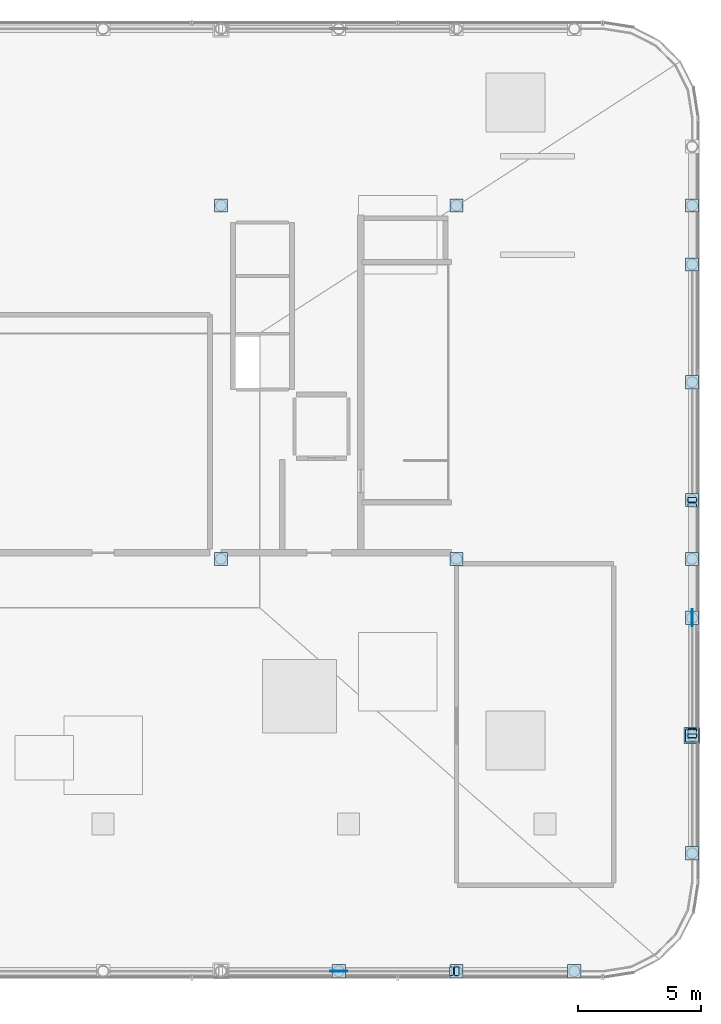
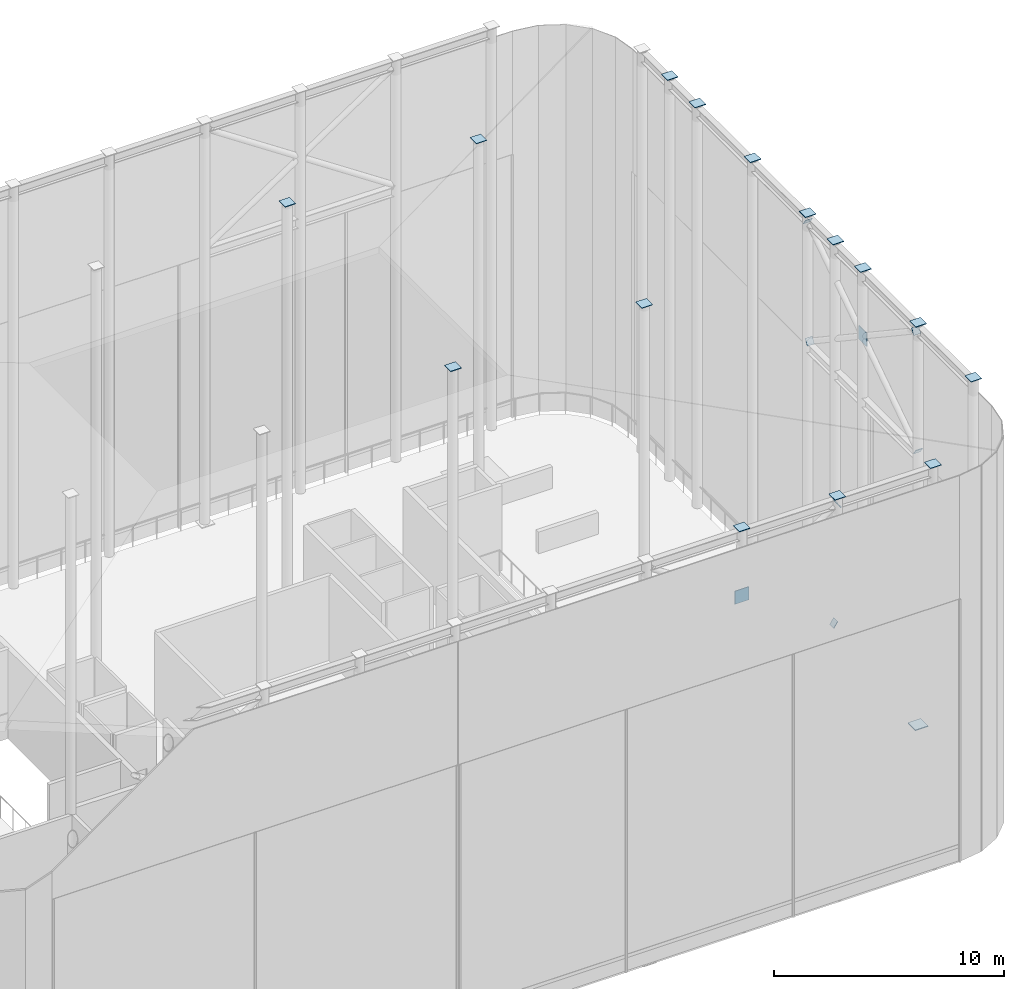
# One storey, part 38 of 42: 24 plates.
"""IFC4 building model written with IfcOpenShell, lengths in metres."""

from ifc_helpers import new_model, si_unit, direction, frame, origin, origin_2d, place, context, subcontext, project, spatial, polyline, rectangle, outline, extrude, material, layer, layer_set, type_object, element, save


model = new_model("IFC4")

# Units and contexts
model_context = context("Model", 3, precision=1e-05, world=origin(), true_north=direction((0.0, 1.0)))
body_context = subcontext(model_context, "Body", "Model", "MODEL_VIEW")
ifc_project = project(units=[si_unit("LENGTHUNIT", "METRE"), si_unit("AREAUNIT", "SQUARE_METRE"), si_unit("VOLUMEUNIT", "CUBIC_METRE"), si_unit("PLANEANGLEUNIT", "RADIAN"), si_unit("MASSUNIT", "GRAM", prefix="KILO")], contexts=[model_context])

# Site, building, storey
site_placement = place(None, origin())
site = spatial("IfcSite", under=ifc_project, at=site_placement, CompositionType="ELEMENT")
building_placement = place(site_placement, origin())
building = spatial("IfcBuilding", under=site, at=building_placement, Name="Kallvorn Hotel Tower", CompositionType="ELEMENT")
storey_placement = place(building_placement, frame((0.0, 0.0, 306.0)))
storey = spatial("IfcBuildingStorey", under=building, at=storey_placement, Name="ROOF", CompositionType="ELEMENT", Elevation=306.0)

# Plates
ifc_material_1 = material(Name="Structural steel S355JR", Category="steel")
ifc_layer_1 = layer(ifc_material_1, 0.044921875)
ifc_layer_set_1 = layer_set([ifc_layer_1], Name="PLT_BASE_45")
plate_type_1 = type_object("IfcPlateType", Name="PLT_BASE_45", PredefinedType="SHEET", material=ifc_layer_set_1)
plate_placement = place(storey_placement, frame((24.0, -14.39990234375, 0.0), z_axis=(0.0, 0.0, 1.0), x_axis=(1.0, 0.0, 0.0)))
element("IfcPlate", 1, at=plate_placement, inside=storey, type_object=plate_type_1, Name="CROWN FRAME Column Baseplate CE1", PredefinedType="SHEET", context=body_context, shape_type="SweptSolid", body=[
    extrude(rectangle(XDim=0.64990234375, YDim=0.64990234375, at=origin_2d()), origin(), (0.0, 0.0, 1.0), 0.044921875),
])
ifc_material_2 = material(Name="Structural steel S355JR", Category="steel")
ifc_layer_2 = layer(ifc_material_2, 0.030029296875)
ifc_layer_set_2 = layer_set([ifc_layer_2], Name="PLT_CAP_30")
plate_type_2 = type_object("IfcPlateType", Name="PLT_CAP_30", PredefinedType="SHEET", material=ifc_layer_set_2)
for number, where, z_axis, x_axis, name in (
    (2, (4.800048828125, -7.199951171875, 21.35986328125), (0.0, 0.0, 1.0), (1.0, 0.0, 0.0), "CROWN FRAME Column Top Cap Plate 27"),
    (3, (4.800048828125, 7.199951171875, 21.35986328125), (0.0, 0.0, 1.0), (1.0, 0.0, 0.0), "CROWN FRAME Column Top Cap Plate 28"),
    (4, (9.60009765625, -24.0, 21.35986328125), (0.0, 0.0, 1.0), (1.0, 0.0, 0.0), "CROWN FRAME Column Top Cap Plate 30"),
    (5, (14.39990234375, -24.0, 21.35986328125), (0.0, 0.0, 1.0), (1.0, 0.0, 0.0), "CROWN FRAME Column Top Cap Plate 32"),
    (6, (14.39990234375, -7.199951171875, 21.35986328125), (0.0, 0.0, 1.0), (1.0, 0.0, 0.0), "CROWN FRAME Column Top Cap Plate 33"),
    (7, (14.39990234375, 7.199951171875, 21.35986328125), (0.0, 0.0, 1.0), (1.0, 0.0, 0.0), "CROWN FRAME Column Top Cap Plate 34"),
    (8, (19.199951171875, -24.0, 21.35986328125), (0.0, 0.0, 1.0), (1.0, 0.0, 0.0), "CROWN FRAME Column Top Cap Plate 36"),
    (9, (24.0, -19.199951171875, 21.35986328125), (0.0, 0.0, 1.0), (1.0, 0.0, 0.0), "CROWN FRAME Column Top Cap Plate 38"),
    (10, (24.0, -14.39990234375, 21.35986328125), (0.0, 0.0, 1.0), (1.0, 0.0, 0.0), "CROWN FRAME Column Top Cap Plate 39"),
    (11, (24.0, -9.60009765625, 21.35986328125), (0.0, 0.0, 1.0), (1.0, 0.0, 0.0), "CROWN FRAME Column Top Cap Plate 40"),
    (12, (24.0, -7.199951171875, 21.35986328125), (0.0, 0.0, 1.0), (1.0, 0.0, 0.0), "CROWN FRAME Column Top Cap Plate 41"),
    (13, (24.0, -4.800048828125, 21.35986328125), (0.0, 0.0, 1.0), (1.0, 0.0, 0.0), "CROWN FRAME Column Top Cap Plate 42"),
    (14, (24.0, 0.0, 21.35986328125), (0.0, 0.0, 1.0), (1.0, 0.0, 0.0), "CROWN FRAME Column Top Cap Plate 43"),
    (15, (24.0, 4.800048828125, 21.35986328125), (0.0, 0.0, 1.0), (1.0, 0.0, 0.0), "CROWN FRAME Column Top Cap Plate 44"),
    (16, (24.0, 7.199951171875, 21.35986328125), (0.0, 0.0, 1.0), (1.0, 0.0, 0.0), "CROWN FRAME Column Top Cap Plate 45"),
):
    element("IfcPlate", number, at=place(storey_placement, frame(where, z_axis=z_axis, x_axis=x_axis)), inside=storey, type_object=plate_type_2, Name=name, PredefinedType="SHEET", context=body_context, shape_type="SweptSolid", body=[
        extrude(rectangle(XDim=0.5400390625, YDim=0.5400390625, at=origin_2d()), origin(), (0.0, 0.0, 1.0), 0.030029296875),
    ])
for number, where, z_axis, x_axis, name in (
    (17, (14.50634765625, -24.176513671875, 20.80859375), (0.832050294338, 0.0, 0.554700196225), (0.0, 1.0, 0.0), "CROWN-BR-CS2 End Cap Plate B"),
    (18, (14.118896484375, -23.823486328125, 14.525146484375), (-0.832050294338, 0.0, 0.554700196225), (0.0, -1.0, 0.0), "CROWN-BR-CS2-H2 End Cap Plate B"),
    (19, (24.176513671875, -14.285400390625, 14.414306640625), (0.0, 0.832050294338, 0.554700196225), (-1.0, 0.0, 0.0), "CROWN-BR-CE1 End Cap Plate A"),
    (20, (24.176513671875, -4.693603515625, 20.80859375), (0.0, 0.832050294338, 0.554700196225), (-1.0, 0.0, 0.0), "CROWN-BR-CE1 End Cap Plate B"),
    (21, (23.823486328125, -14.33984375, 20.69775390625), (0.0, -0.832050294338, 0.554700196225), (1.0, 0.0, 0.0), "CROWN-BR-CE1-H1 End Cap Plate A"),
    (22, (23.823486328125, -5.0810546875, 14.525146484375), (0.0, -0.832050294338, 0.554700196225), (1.0, 0.0, 0.0), "CROWN-BR-CE1-H2 End Cap Plate B"),
):
    element("IfcPlate", number, at=place(storey_placement, frame(where, z_axis=z_axis, x_axis=x_axis)), inside=storey, type_object=plate_type_2, Name=name, PredefinedType="SHEET", context=body_context, shape_type="SweptSolid", body=[
        extrude(outline(polyline([(0.0, 0.0), (0.35302734375, 0.0), (0.35302734375, 0.3529848782863915), (0.0, 0.3529848782863915), (0.0, 0.0)])), origin(), (0.0, 0.0, -1.0), 0.030029296875),
    ])
ifc_material_3 = material(Name="Structural steel S355JR", Category="steel")
ifc_layer_3 = layer(ifc_material_3, 0.034912109375)
ifc_layer_set_3 = layer_set([ifc_layer_3], Name="PLT_GUSSET_35")
plate_type_3 = type_object("IfcPlateType", Name="PLT_GUSSET_35", PredefinedType="USERDEFINED", material=ifc_layer_set_3)
for number, where, z_axis, x_axis, name in (
    (23, (9.60009765625, -24.0, 17.39990234375), (0.0, 0.0, 1.0), (1.0, 0.0, 0.0), "CROWN FRAME X-Brace Crossing Gusset Node CS2"),
    (24, (24.0, -9.60009765625, 17.39990234375), (0.0, 0.0, 1.0), (0.0, 1.0, 0.0), "CROWN FRAME X-Brace Crossing Gusset Node CE1"),
):
    element("IfcPlate", number, at=place(storey_placement, frame(where, z_axis=z_axis, x_axis=x_axis)), inside=storey, type_object=plate_type_3, Name=name, ObjectType="GUSSET PLATE", PredefinedType="USERDEFINED", context=body_context, shape_type="SweptSolid", body=[
        extrude(rectangle(XDim=0.699951171875, YDim=0.034912109375, at=origin_2d()), origin(), (0.0, 0.0, 1.0), 0.699951171875),
    ])

save(model, "model.ifc")
